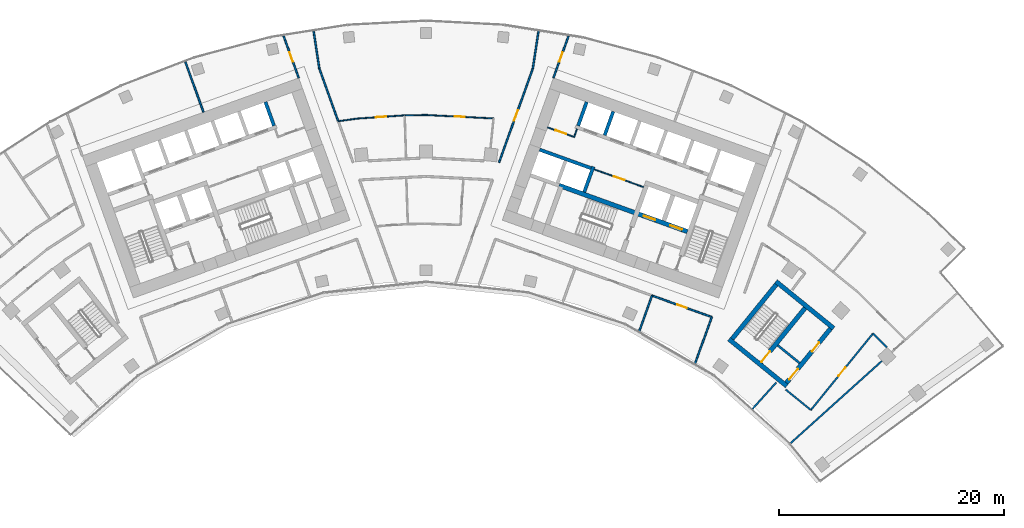
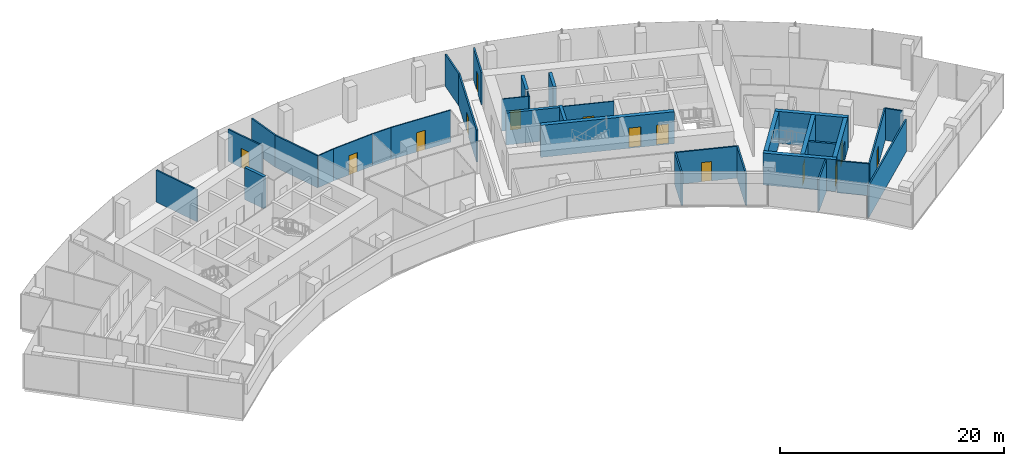
# One storey, part 15 of 19: 34 walls, 14 doors, 14 openings.
"""IFC4 building model written with IfcOpenShell, lengths in metres."""

from ifc_helpers import new_model, si_unit, direction, frame, frame_2d, origin, place, context, subcontext, project, spatial, rectangle, extrude, material, layer, layer_set, type_object, element, fill, save


model = new_model("IFC4")

# Units and contexts
model_context = context("Model", 3, precision=1e-05, world=origin(), true_north=direction((0.0, 1.0)))
body_context = subcontext(model_context, "Body", "Model", "MODEL_VIEW")
ifc_project = project(units=[si_unit("LENGTHUNIT", "METRE"), si_unit("AREAUNIT", "SQUARE_METRE"), si_unit("VOLUMEUNIT", "CUBIC_METRE"), si_unit("PLANEANGLEUNIT", "RADIAN"), si_unit("MASSUNIT", "GRAM", prefix="KILO")], contexts=[model_context])

# Site, building, storey
site_placement = place(None, origin())
site = spatial("IfcSite", under=ifc_project, at=site_placement, CompositionType="ELEMENT")
building_placement = place(site_placement, origin())
building = spatial("IfcBuilding", under=site, at=building_placement, Name="Stone Belt Terrace Tower", CompositionType="ELEMENT")
storey_placement = place(building_placement, frame((0.0, 0.0, 204.800048828125)))
storey = spatial("IfcBuildingStorey", under=building, at=storey_placement, Name="L49", CompositionType="ELEMENT", Elevation=204.800048828125)

# Wall, opening, door
ifc_material_1 = material(Name="Plasterboard partition")
ifc_layer_1 = layer(ifc_material_1, 0.10009765625)
ifc_layer_set_1 = layer_set([ifc_layer_1], Name="Core partition 100")
wall_type_1 = type_object("IfcWallType", Name="Core partition 100", PredefinedType="PARTITIONING", material=ifc_layer_set_1)
wall_1_placement = place(storey_placement, frame((19.29052734375, 51.829833984375, 0.0), z_axis=(0.0, 0.0, 1.0), x_axis=(-0.940930240745, 0.338600475563, 0.0)))
wall_1 = element("IfcWall", 1, at=wall_1_placement, inside=storey, type_object=wall_type_1, Name="Core B wall", PredefinedType="PARTITIONING", context=body_context, shape_type="SweptSolid", body=[
    extrude(rectangle(XDim=4.64990234375, YDim=0.10009765625, at=frame_2d((2.324951171875, 0.0))), origin(), (0.0, 0.0, 1.0), 3.47998046875),
])
opening_1_placement = place(wall_1_placement, frame((1.800048828125, 0.0, 0.0)))
opening_1 = element("IfcOpeningElement", 2, at=opening_1_placement, cuts=wall_1, Name="Opening L49-C13", PredefinedType="OPENING", context=body_context, shape_type="SweptSolid", body=[
    extrude(rectangle(XDim=1.0, YDim=2.10009765625, at=frame_2d((0.5, 1.050048828125))), frame((0.0, 0.06005859375, 0.0), z_axis=(0.0, -1.0, 0.0), x_axis=(1.0, 0.0, 0.0)), (0.0, 0.0, 1.0), 0.1201171875),
])
ifc_material_2 = material(Name="Timber door leaf", Category="wood")
door_type_1 = type_object("IfcDoorType", Name="Core room door 1000", OperationType="SINGLE_SWING_LEFT", PredefinedType="DOOR", material=ifc_material_2)
door_1_placement = place(opening_1_placement, origin())
door_1 = element("IfcDoor", 3, at=door_1_placement, inside=storey, type_object=door_type_1, Name="Door to Telecommunications room core B", OperationType="SINGLE_SWING_LEFT", OverallHeight=2.10009765625, OverallWidth=1.0, PredefinedType="DOOR", context=body_context, shape_type="SweptSolid", body=[
    extrude(rectangle(XDim=1.0, YDim=2.10009765625, at=frame_2d((0.5, 1.050048828125))), frame((0.0, 0.02490234375, 0.0), z_axis=(0.0, -1.0, 0.0), x_axis=(1.0, 0.0, 0.0)), (0.0, 0.0, 1.0), 0.050048828125),
])
fill(opening_1, door_1)

# Wall
wall_2_placement = place(storey_placement, frame((13.115966796875, 56.230712890625, 0.0), z_axis=(0.0, 0.0, 1.0), x_axis=(0.338481684961, 0.940972979923, 0.0)))
element("IfcWall", 4, at=wall_2_placement, inside=storey, type_object=wall_type_1, Name="Core B wall", PredefinedType="PARTITIONING", context=body_context, shape_type="SweptSolid", body=[
    extrude(rectangle(XDim=0.7998046875, YDim=0.10009765625, at=frame_2d((0.39990234375, 0.0))), origin(), (0.0, 0.0, 1.0), 3.47998046875),
])

# Wall, opening, door
wall_3_placement = place(storey_placement, frame((13.085693359375, 56.294677734375, 0.0), z_axis=(0.0, 0.0, 1.0), x_axis=(-0.940922976849, 0.338620660383, 0.0)))
wall_3 = element("IfcWall", 5, at=wall_3_placement, inside=storey, type_object=wall_type_1, Name="Core B wall", PredefinedType="PARTITIONING", context=body_context, shape_type="SweptSolid", body=[
    extrude(rectangle(XDim=2.449951171875, YDim=0.10009765625, at=frame_2d((1.22509765625, 0.0))), origin(), (0.0, 0.0, 1.0), 3.47998046875),
])
opening_2_placement = place(wall_3_placement, frame((0.699951171875, 0.0, 0.0)))
opening_2 = element("IfcOpeningElement", 6, at=opening_2_placement, cuts=wall_3, Name="Opening L49-C12", PredefinedType="OPENING", context=body_context, shape_type="SweptSolid", body=[
    extrude(rectangle(XDim=1.0, YDim=2.10009765625, at=frame_2d((0.5, 1.050048828125))), frame((0.0, 0.06005859375, 0.0), z_axis=(0.0, -1.0, 0.0), x_axis=(1.0, 0.0, 0.0)), (0.0, 0.0, 1.0), 0.1201171875),
])
door_2_placement = place(opening_2_placement, origin())
door_2 = element("IfcDoor", 7, at=door_2_placement, inside=storey, type_object=door_type_1, Name="Door to Staff pantry core B", OperationType="SINGLE_SWING_LEFT", OverallHeight=2.10009765625, OverallWidth=1.0, PredefinedType="DOOR", context=body_context, shape_type="SweptSolid", body=[
    extrude(rectangle(XDim=1.0, YDim=2.10009765625, at=frame_2d((0.5, 1.050048828125))), frame((0.0, 0.02490234375, 0.0), z_axis=(0.0, -1.0, 0.0), x_axis=(1.0, 0.0, 0.0)), (0.0, 0.0, 1.0), 0.050048828125),
])
fill(opening_2, door_2)

# Walls
ifc_material_3 = material(Name="Concrete B80", Category="concrete")
ifc_layer_2 = layer(ifc_material_3, 0.300048828125)
ifc_layer_set_2 = layer_set([ifc_layer_2], Name="Lift shaft wall 300")
wall_type_2 = type_object("IfcWallType", Name="Lift shaft wall 300", PredefinedType="SHEAR", material=ifc_layer_set_2)
wall_4_placement = place(storey_placement, frame((-13.48828125, 57.265625, 0.0), z_axis=(0.0, 0.0, 1.0), x_axis=(-0.338631098537, 0.940919220286, 0.0)))
element("IfcWall", 8, at=wall_4_placement, inside=storey, type_object=wall_type_2, Name="Core A wall", PredefinedType="SHEAR", context=body_context, shape_type="SweptSolid", body=[
    extrude(rectangle(XDim=2.250244140625, YDim=0.300048828125, at=frame_2d((1.125, 0.0))), origin(), (0.0, 0.0, 1.0), 3.47998046875),
])
wall_5_placement = place(storey_placement, frame((14.029052734375, 51.38525390625, 0.0), z_axis=(0.0, 0.0, 1.0), x_axis=(0.338661829791, 0.940908159728, 0.0)))
element("IfcWall", 9, at=wall_5_placement, inside=storey, type_object=wall_type_2, Name="Core B wall", PredefinedType="SHEAR", context=body_context, shape_type="SweptSolid", body=[
    extrude(rectangle(XDim=2.39990234375, YDim=0.300048828125, at=frame_2d((1.199951171875, 0.0))), origin(), (0.0, 0.0, 1.0), 3.47998046875),
])
wall_6_placement = place(storey_placement, frame((14.6328125, 53.506103515625, 0.0), z_axis=(0.0, 0.0, 1.0), x_axis=(-0.940931684323, 0.338596464007, 0.0)))
element("IfcWall", 10, at=wall_6_placement, inside=storey, type_object=wall_type_2, Name="Core B wall", PredefinedType="SHEAR", context=body_context, shape_type="SweptSolid", body=[
    extrude(rectangle(XDim=4.849609375, YDim=0.300048828125, at=frame_2d((2.4248046875, 0.0))), origin(), (0.0, 0.0, 1.0), 3.47998046875),
])
wall_7_placement = place(storey_placement, frame((15.8408203125, 56.419189453125, 0.0), z_axis=(0.0, 0.0, 1.0), x_axis=(0.338569601369, 0.940941350472, 0.0)))
element("IfcWall", 11, at=wall_7_placement, inside=storey, type_object=wall_type_2, Name="Core B wall", PredefinedType="SHEAR", context=body_context, shape_type="SweptSolid", body=[
    extrude(rectangle(XDim=2.249755859375, YDim=0.300048828125, at=frame_2d((1.125, 0.0))), origin(), (0.0, 0.0, 1.0), 3.47998046875),
])
wall_8_placement = place(storey_placement, frame((13.48828125, 57.265625, 0.0), z_axis=(0.0, 0.0, 1.0), x_axis=(0.338631098537, 0.940919220286, 0.0)))
element("IfcWall", 12, at=wall_8_placement, inside=storey, type_object=wall_type_2, Name="Core B wall", PredefinedType="SHEAR", context=body_context, shape_type="SweptSolid", body=[
    extrude(rectangle(XDim=2.250244140625, YDim=0.300048828125, at=frame_2d((1.125, 0.0))), origin(), (0.0, 0.0, 1.0), 3.47998046875),
])

# Wall, opening, door
ifc_material_4 = material(Name="Gypsum board partition")
ifc_layer_3 = layer(ifc_material_4, 0.10009765625)
ifc_layer_set_3 = layer_set([ifc_layer_3], Name="PARTITION 100")
wall_type_3 = type_object("IfcWallType", Name="PARTITION 100", PredefinedType="PARTITIONING", material=ifc_layer_set_3)
wall_9_placement = place(storey_placement, frame((-1.89892578125, 58.194091796875, 0.0), z_axis=(0.0, 0.0, 1.0), x_axis=(-0.997641330362, -0.068642377249, 0.0)))
wall_9 = element("IfcWall", 13, at=wall_9_placement, inside=storey, type_object=wall_type_3, Name="L49/wall/i086", PredefinedType="PARTITIONING", context=body_context, shape_type="SweptSolid", body=[
    extrude(rectangle(XDim=4.197021484375, YDim=0.10009765625, at=frame_2d((2.0986328125, 0.0))), origin(), (0.0, 0.0, 1.0), 3.47998046875),
])
opening_3_placement = place(wall_9_placement, frame((1.6484375, 0.0, 0.0)))
opening_3 = element("IfcOpeningElement", 14, at=opening_3_placement, cuts=wall_9, Name="Opening D-D2-26", PredefinedType="OPENING", context=body_context, shape_type="SweptSolid", body=[
    extrude(rectangle(XDim=0.89990234375, YDim=2.10009765625, at=frame_2d((0.449951171875, 1.050048828125))), frame((0.0, 0.06005859375, 0.0), z_axis=(0.0, -1.0, 0.0), x_axis=(1.0, 0.0, 0.0)), (0.0, 0.0, 1.0), 0.1201171875),
])
door_type_2 = type_object("IfcDoorType", Name="OFFICE DOOR 900 X 2100", OperationType="NOTDEFINED", PredefinedType="DOOR", material=ifc_material_2)
door_3_placement = place(opening_3_placement, origin())
door_3 = element("IfcDoor", 15, at=door_3_placement, inside=storey, type_object=door_type_2, Name="L49/door/i26", OperationType="SINGLE_SWING_RIGHT", OverallHeight=2.10009765625, OverallWidth=0.89990234375, PredefinedType="DOOR", context=body_context, shape_type="SweptSolid", body=[
    extrude(rectangle(XDim=0.89990234375, YDim=2.10009765625, at=frame_2d((0.449951171875, 1.050048828125))), frame((0.0, 0.02490234375, 0.0), z_axis=(0.0, -1.0, 0.0), x_axis=(1.0, 0.0, 0.0)), (0.0, 0.0, 1.0), 0.050048828125),
])
fill(opening_3, door_3)

# Wall
wall_10_placement = place(storey_placement, frame((-6.0859375, 57.906005859375, 0.0), z_axis=(0.0, 0.0, 1.0), x_axis=(-0.990701823522, -0.136051081843, 0.0)))
element("IfcWall", 16, at=wall_10_placement, inside=storey, type_object=wall_type_3, Name="L49/wall/i087", PredefinedType="PARTITIONING", context=body_context, shape_type="SweptSolid", body=[
    extrude(rectangle(XDim=1.718994140625, YDim=0.10009765625, at=frame_2d((0.859375, 0.0))), origin(), (0.0, 0.0, 1.0), 3.47998046875),
])

# Wall, opening, door
wall_11_placement = place(storey_placement, frame((5.98388671875, 57.9169921875, 0.0), z_axis=(0.0, 0.0, 1.0), x_axis=(-0.998677061642, 0.051421071065, 0.0)))
wall_11 = element("IfcWall", 17, at=wall_11_placement, inside=storey, type_object=wall_type_3, Name="L49/wall/i089", PredefinedType="PARTITIONING", context=body_context, shape_type="SweptSolid", body=[
    extrude(rectangle(XDim=5.99169921875, YDim=0.10009765625, at=frame_2d((2.995849609375, 0.0))), origin(), (0.0, 0.0, 1.0), 3.47998046875),
])
opening_4_placement = place(wall_11_placement, frame((2.5458984375, 0.0, 0.0)))
opening_4 = element("IfcOpeningElement", 18, at=opening_4_placement, cuts=wall_11, Name="Opening D-D2-27", PredefinedType="OPENING", context=body_context, shape_type="SweptSolid", body=[
    extrude(rectangle(XDim=0.89990234375, YDim=2.10009765625, at=frame_2d((0.449951171875, 1.050048828125))), frame((0.0, 0.06005859375, 0.0), z_axis=(0.0, -1.0, 0.0), x_axis=(1.0, 0.0, 0.0)), (0.0, 0.0, 1.0), 0.1201171875),
])
door_4_placement = place(opening_4_placement, origin())
door_4 = element("IfcDoor", 19, at=door_4_placement, inside=storey, type_object=door_type_2, Name="L49/door/i27", OperationType="SINGLE_SWING_RIGHT", OverallHeight=2.10009765625, OverallWidth=0.89990234375, PredefinedType="DOOR", context=body_context, shape_type="SweptSolid", body=[
    extrude(rectangle(XDim=0.89990234375, YDim=2.10009765625, at=frame_2d((0.449951171875, 1.050048828125))), frame((0.0, 0.02490234375, 0.0), z_axis=(0.0, -1.0, 0.0), x_axis=(1.0, 0.0, 0.0)), (0.0, 0.0, 1.0), 0.050048828125),
])
fill(opening_4, door_4)

# Wall
wall_12_placement = place(storey_placement, frame((0.0, 58.22509765625, 0.0), z_axis=(0.0, 0.0, 1.0), x_axis=(-0.999866723144, -0.016325928753, 0.0)))
element("IfcWall", 20, at=wall_12_placement, inside=storey, type_object=wall_type_3, Name="L49/wall/i090", PredefinedType="PARTITIONING", context=body_context, shape_type="SweptSolid", body=[
    extrude(rectangle(XDim=1.899169921875, YDim=0.10009765625, at=frame_2d((0.94970703125, 0.0))), origin(), (0.0, 0.0, 1.0), 3.47998046875),
])

# Wall, opening, door
ifc_layer_4 = layer(ifc_material_4, 0.14990234375)
ifc_layer_set_4 = layer_set([ifc_layer_4], Name="PARTITION 150 EI 60")
wall_type_4 = type_object("IfcWallType", Name="PARTITION 150 EI 60", PredefinedType="PARTITIONING", material=ifc_layer_set_4)
wall_13_placement = place(storey_placement, frame((-11.2958984375, 61.509033203125, 0.0), z_axis=(0.0, 0.0, 1.0), x_axis=(-0.338610223579, 0.940926732795, 0.0)))
wall_13 = element("IfcWall", 21, at=wall_13_placement, inside=storey, type_object=wall_type_4, Name="L49/wall/i009", PredefinedType="PARTITIONING", context=body_context, shape_type="SweptSolid", body=[
    extrude(rectangle(XDim=3.956787109375, YDim=0.14990234375, at=frame_2d((1.978515625, 0.0))), origin(), (0.0, 0.0, 1.0), 3.47998046875),
])
opening_5_placement = place(wall_13_placement, frame((1.5283203125, 0.0, 0.0)))
opening_5 = element("IfcOpeningElement", 22, at=opening_5_placement, cuts=wall_13, Name="Opening D-D2-05", PredefinedType="OPENING", context=body_context, shape_type="SweptSolid", body=[
    extrude(rectangle(XDim=0.89990234375, YDim=2.10009765625, at=frame_2d((0.449951171875, 1.050048828125))), frame((0.0, 0.0849609375, 0.0), z_axis=(0.0, -1.0, 0.0), x_axis=(1.0, 0.0, 0.0)), (0.0, 0.0, 1.0), 0.169921875),
])
door_5_placement = place(opening_5_placement, origin())
door_5 = element("IfcDoor", 23, at=door_5_placement, inside=storey, type_object=door_type_2, Name="L49/door/i05", OperationType="SINGLE_SWING_RIGHT", OverallHeight=2.10009765625, OverallWidth=0.89990234375, PredefinedType="DOOR", context=body_context, shape_type="SweptSolid", body=[
    extrude(rectangle(XDim=0.89990234375, YDim=2.10009765625, at=frame_2d((0.449951171875, 1.050048828125))), frame((0.0, 0.02490234375, 0.0), z_axis=(0.0, -1.0, 0.0), x_axis=(1.0, 0.0, 0.0)), (0.0, 0.0, 1.0), 0.050048828125),
])
fill(opening_5, door_5)

# Walls
wall_14_placement = place(storey_placement, frame((-9.971923828125, 65.65576171875, 0.0), z_axis=(0.0, 0.0, 1.0), x_axis=(0.150154488208, -0.988662545903, 0.0)))
element("IfcWall", 24, at=wall_14_placement, inside=storey, type_object=wall_type_4, Name="L49/wall/i012", PredefinedType="PARTITIONING", context=body_context, shape_type="SweptSolid", body=[
    extrude(rectangle(XDim=3.35595703125, YDim=0.14990234375, at=frame_2d((1.677978515625, 0.0))), origin(), (0.0, 0.0, 1.0), 3.47998046875),
])
wall_15_placement = place(storey_placement, frame((-9.468017578125, 62.3369140625, 0.0), z_axis=(0.0, 0.0, 1.0), x_axis=(0.338609749615, -0.94092690336, 0.0)))
element("IfcWall", 25, at=wall_15_placement, inside=storey, type_object=wall_type_4, Name="L49/wall/i013", PredefinedType="PARTITIONING", context=body_context, shape_type="SweptSolid", body=[
    extrude(rectangle(XDim=4.964111328125, YDim=0.14990234375, at=frame_2d((2.48193359375, 0.0))), origin(), (0.0, 0.0, 1.0), 3.47998046875),
])
wall_16_placement = place(storey_placement, frame((-21.347900390625, 62.939208984375, 0.0), z_axis=(0.0, 0.0, 1.0), x_axis=(0.338530164173, -0.940955539834, 0.0)))
element("IfcWall", 26, at=wall_16_placement, inside=storey, type_object=wall_type_4, Name="L49/wall/i021", PredefinedType="PARTITIONING", context=body_context, shape_type="SweptSolid", body=[
    extrude(rectangle(XDim=4.749755859375, YDim=0.14990234375, at=frame_2d((2.375, 0.0))), origin(), (0.0, 0.0, 1.0), 3.47998046875),
])

# Wall, opening, door
wall_17_placement = place(storey_placement, frame((12.6357421875, 65.232177734375, 0.0), z_axis=(0.0, 0.0, 1.0), x_axis=(-0.338610223579, -0.940926732795, 0.0)))
wall_17 = element("IfcWall", 27, at=wall_17_placement, inside=storey, type_object=wall_type_4, Name="L49/wall/i023", PredefinedType="PARTITIONING", context=body_context, shape_type="SweptSolid", body=[
    extrude(rectangle(XDim=3.956787109375, YDim=0.14990234375, at=frame_2d((1.978515625, 0.0))), origin(), (0.0, 0.0, 1.0), 3.47998046875),
])
opening_6_placement = place(wall_17_placement, frame((1.5283203125, 0.0, 0.0)))
opening_6 = element("IfcOpeningElement", 28, at=opening_6_placement, cuts=wall_17, Name="Opening D-D2-09", PredefinedType="OPENING", context=body_context, shape_type="SweptSolid", body=[
    extrude(rectangle(XDim=0.89990234375, YDim=2.10009765625, at=frame_2d((0.449951171875, 1.050048828125))), frame((0.0, 0.0849609375, 0.0), z_axis=(0.0, -1.0, 0.0), x_axis=(1.0, 0.0, 0.0)), (0.0, 0.0, 1.0), 0.169921875),
])
door_6_placement = place(opening_6_placement, origin())
door_6 = element("IfcDoor", 29, at=door_6_placement, inside=storey, type_object=door_type_2, Name="L49/door/i09", OperationType="SINGLE_SWING_RIGHT", OverallHeight=2.10009765625, OverallWidth=0.89990234375, PredefinedType="DOOR", context=body_context, shape_type="SweptSolid", body=[
    extrude(rectangle(XDim=0.89990234375, YDim=2.10009765625, at=frame_2d((0.449951171875, 1.050048828125))), frame((0.0, 0.02490234375, 0.0), z_axis=(0.0, -1.0, 0.0), x_axis=(1.0, 0.0, 0.0)), (0.0, 0.0, 1.0), 0.050048828125),
])
fill(opening_6, door_6)

wall_18_placement = place(storey_placement, frame((6.47509765625, 54.02001953125, 0.0), z_axis=(0.0, 0.0, 1.0), x_axis=(0.338603075024, 0.940929305307, 0.0)))
wall_18 = element("IfcWall", 30, at=wall_18_placement, inside=storey, type_object=wall_type_4, Name="L49/wall/i025", PredefinedType="PARTITIONING", context=body_context, shape_type="SweptSolid", body=[
    extrude(rectangle(XDim=8.839111328125, YDim=0.14990234375, at=frame_2d((4.41943359375, 0.0))), origin(), (0.0, 0.0, 1.0), 3.47998046875),
])
opening_7_placement = place(wall_18_placement, frame((3.919677734375, 0.0, 0.0)))
opening_7 = element("IfcOpeningElement", 31, at=opening_7_placement, cuts=wall_18, Name="Opening D-D2-25", PredefinedType="OPENING", context=body_context, shape_type="SweptSolid", body=[
    extrude(rectangle(XDim=1.0, YDim=2.10009765625, at=frame_2d((0.5, 1.050048828125))), frame((0.0, 0.0849609375, 0.0), z_axis=(0.0, -1.0, 0.0), x_axis=(1.0, 0.0, 0.0)), (0.0, 0.0, 1.0), 0.169921875),
])
ifc_material_5 = material(Name="Timber fire door leaf", Category="wood")
door_type_3 = type_object("IfcDoorType", Name="TENANCY ENTRANCE DOOR 1000 X 2100", OperationType="NOTDEFINED", PredefinedType="DOOR", material=ifc_material_5)
door_7_placement = place(opening_7_placement, origin())
door_7 = element("IfcDoor", 32, at=door_7_placement, inside=storey, type_object=door_type_3, Name="L49/door/i25", OperationType="SINGLE_SWING_RIGHT", OverallHeight=2.10009765625, OverallWidth=1.0, PredefinedType="DOOR", context=body_context, shape_type="SweptSolid", body=[
    extrude(rectangle(XDim=1.0, YDim=2.10009765625, at=frame_2d((0.5, 1.050048828125))), frame((0.0, 0.02490234375, 0.0), z_axis=(0.0, -1.0, 0.0), x_axis=(1.0, 0.0, 0.0)), (0.0, 0.0, 1.0), 0.050048828125),
])
fill(opening_7, door_7)

# Walls
wall_19_placement = place(storey_placement, frame((9.468017578125, 62.337890625, 0.0), z_axis=(0.0, 0.0, 1.0), x_axis=(0.150154488208, 0.988662545903, 0.0)))
element("IfcWall", 33, at=wall_19_placement, inside=storey, type_object=wall_type_4, Name="L49/wall/i026", PredefinedType="PARTITIONING", context=body_context, shape_type="SweptSolid", body=[
    extrude(rectangle(XDim=3.35595703125, YDim=0.14990234375, at=frame_2d((1.677978515625, 0.0))), origin(), (0.0, 0.0, 1.0), 3.47998046875),
])
wall_20_placement = place(storey_placement, frame((23.860107421875, 36.1787109375, 0.0), z_axis=(0.0, 0.0, 1.0), x_axis=(0.338603151709, 0.94092927771, 0.0)))
element("IfcWall", 34, at=wall_20_placement, inside=storey, type_object=wall_type_4, Name="L49/wall/i027", PredefinedType="PARTITIONING", context=body_context, shape_type="SweptSolid", body=[
    extrude(rectangle(XDim=4.38525390625, YDim=0.14990234375, at=frame_2d((2.192626953125, 0.0))), origin(), (0.0, 0.0, 1.0), 3.47998046875),
])
wall_21_placement = place(storey_placement, frame((31.054931640625, 34.489990234375, 0.0), z_axis=(0.0, 0.0, 1.0), x_axis=(-0.669118910745, -0.743155356089, 0.0)))
element("IfcWall", 35, at=wall_21_placement, inside=storey, type_object=wall_type_4, Name="L49/wall/i030", PredefinedType="PARTITIONING", context=body_context, shape_type="SweptSolid", body=[
    extrude(rectangle(XDim=3.149169921875, YDim=0.14990234375, at=frame_2d((1.57470703125, 0.0))), origin(), (0.0, 0.0, 1.0), 3.47998046875),
])

# Wall, opening, door
wall_22_placement = place(storey_placement, frame((25.343017578125, 40.299072265625, 0.0), z_axis=(0.0, 0.0, 1.0), x_axis=(-0.94095472918, 0.338532417405, 0.0)))
wall_22 = element("IfcWall", 36, at=wall_22_placement, inside=storey, type_object=wall_type_4, Name="L49/wall/i035", PredefinedType="PARTITIONING", context=body_context, shape_type="SweptSolid", body=[
    extrude(rectangle(XDim=5.638916015625, YDim=0.14990234375, at=frame_2d((2.8193359375, 0.0))), origin(), (0.0, 0.0, 1.0), 3.47998046875),
])
opening_8_placement = place(wall_22_placement, frame((2.369384765625, 0.0, 0.0)))
opening_8 = element("IfcOpeningElement", 37, at=opening_8_placement, cuts=wall_22, Name="Opening D-D2-08", PredefinedType="OPENING", context=body_context, shape_type="SweptSolid", body=[
    extrude(rectangle(XDim=0.89990234375, YDim=2.10009765625, at=frame_2d((0.449951171875, 1.050048828125))), frame((0.0, 0.0849609375, 0.0), z_axis=(0.0, -1.0, 0.0), x_axis=(1.0, 0.0, 0.0)), (0.0, 0.0, 1.0), 0.169921875),
])
door_8_placement = place(opening_8_placement, origin())
door_8 = element("IfcDoor", 38, at=door_8_placement, inside=storey, type_object=door_type_2, Name="L49/door/i08", OperationType="SINGLE_SWING_RIGHT", OverallHeight=2.10009765625, OverallWidth=0.89990234375, PredefinedType="DOOR", context=body_context, shape_type="SweptSolid", body=[
    extrude(rectangle(XDim=0.89990234375, YDim=2.10009765625, at=frame_2d((0.449951171875, 1.050048828125))), frame((0.0, 0.02490234375, 0.0), z_axis=(0.0, -1.0, 0.0), x_axis=(1.0, 0.0, 0.0)), (0.0, 0.0, 1.0), 0.050048828125),
])
fill(opening_8, door_8)

# Walls
wall_23_placement = place(storey_placement, frame((20.04296875, 42.2060546875, 0.0), z_axis=(0.0, 0.0, 1.0), x_axis=(-0.338583278886, -0.940936428915, 0.0)))
element("IfcWall", 39, at=wall_23_placement, inside=storey, type_object=wall_type_4, Name="L49/wall/i037", PredefinedType="PARTITIONING", context=body_context, shape_type="SweptSolid", body=[
    extrude(rectangle(XDim=3.364501953125, YDim=0.14990234375, at=frame_2d((1.68212890625, 0.0))), origin(), (0.0, 0.0, 1.0), 3.47998046875),
])
wall_24_placement = place(storey_placement, frame((32.32666015625, 29.107177734375, 0.0), z_axis=(0.0, 0.0, 1.0), x_axis=(0.743123646352, 0.669154127412, 0.0)))
element("IfcWall", 40, at=wall_24_placement, inside=storey, type_object=wall_type_4, Name="L49/wall/i057", PredefinedType="PARTITIONING", context=body_context, shape_type="SweptSolid", body=[
    extrude(rectangle(XDim=10.89501953125, YDim=0.14990234375, at=frame_2d((5.447509765625, 0.0))), origin(), (0.0, 0.0, 1.0), 3.47998046875),
])
wall_25_placement = place(storey_placement, frame((40.871826171875, 37.615234375, 0.0), z_axis=(0.0, 0.0, 1.0), x_axis=(-0.707176795224, 0.707036760216, 0.0)))
element("IfcWall", 41, at=wall_25_placement, inside=storey, type_object=wall_type_4, Name="L49/wall/i062", PredefinedType="PARTITIONING", context=body_context, shape_type="SweptSolid", body=[
    extrude(rectangle(XDim=1.743408203125, YDim=0.14990234375, at=frame_2d((0.87158203125, 0.0))), origin(), (0.0, 0.0, 1.0), 3.47998046875),
])

# Wall, opening, door
wall_26_placement = place(storey_placement, frame((39.64306640625, 38.843994140625, 0.0), z_axis=(0.0, 0.0, 1.0), x_axis=(-0.630226712005, -0.776411161354, 0.0)))
wall_26 = element("IfcWall", 42, at=wall_26_placement, inside=storey, type_object=wall_type_4, Name="L49/wall/i067", PredefinedType="PARTITIONING", context=body_context, shape_type="SweptSolid", body=[
    extrude(rectangle(XDim=8.742919921875, YDim=0.14990234375, at=frame_2d((4.37158203125, 0.0))), origin(), (0.0, 0.0, 1.0), 3.47998046875),
])
opening_9_placement = place(wall_26_placement, frame((3.871337890625, 0.0, 0.0)))
opening_9 = element("IfcOpeningElement", 43, at=opening_9_placement, cuts=wall_26, Name="Opening D-D2-19", PredefinedType="OPENING", context=body_context, shape_type="SweptSolid", body=[
    extrude(rectangle(XDim=1.0, YDim=2.10009765625, at=frame_2d((0.5, 1.050048828125))), frame((0.0, 0.0849609375, 0.0), z_axis=(0.0, -1.0, 0.0), x_axis=(1.0, 0.0, 0.0)), (0.0, 0.0, 1.0), 0.169921875),
])
door_9_placement = place(opening_9_placement, origin())
door_9 = element("IfcDoor", 44, at=door_9_placement, inside=storey, type_object=door_type_3, Name="L49/door/i19", OperationType="SINGLE_SWING_RIGHT", OverallHeight=2.10009765625, OverallWidth=1.0, PredefinedType="DOOR", context=body_context, shape_type="SweptSolid", body=[
    extrude(rectangle(XDim=1.0, YDim=2.10009765625, at=frame_2d((0.5, 1.050048828125))), frame((0.0, 0.02490234375, 0.0), z_axis=(0.0, -1.0, 0.0), x_axis=(1.0, 0.0, 0.0)), (0.0, 0.0, 1.0), 0.050048828125),
])
fill(opening_9, door_9)

# Walls
wall_27_placement = place(storey_placement, frame((34.133056640625, 32.055908203125, 0.0), z_axis=(0.0, 0.0, 1.0), x_axis=(-0.776369956068, 0.630277471686, 0.0)))
element("IfcWall", 45, at=wall_27_placement, inside=storey, type_object=wall_type_4, Name="L49/wall/i068", PredefinedType="PARTITIONING", context=body_context, shape_type="SweptSolid", body=[
    extrude(rectangle(XDim=2.8876953125, YDim=0.14990234375, at=frame_2d((1.44384765625, 0.0))), origin(), (0.0, 0.0, 1.0), 3.47998046875),
])
ifc_material_6 = material(Name="Concrete masonry block", Category="masonry")
ifc_layer_5 = layer(ifc_material_6, 0.199951171875)
ifc_layer_set_5 = layer_set([ifc_layer_5], Name="Rated lobby wall 200")
wall_type_5 = type_object("IfcWallType", Name="Rated lobby wall 200", PredefinedType="PARTITIONING", material=ifc_layer_set_5)
wall_28_placement = place(storey_placement, frame((31.190673828125, 37.79296875, 0.0), z_axis=(0.0, 0.0, 1.0), x_axis=(0.776370830301, -0.630276394813, 0.0)))
element("IfcWall", 46, at=wall_28_placement, inside=storey, type_object=wall_type_5, Name="Exit stair ST3B wall", PredefinedType="PARTITIONING", context=body_context, shape_type="SweptSolid", body=[
    extrude(rectangle(XDim=2.5, YDim=0.199951171875, at=frame_2d((1.25, 0.0))), origin(), (0.0, 0.0, 1.0), 3.47998046875),
])

# Wall, openings, doors
ifc_layer_6 = layer(ifc_material_3, 0.39990234375)
ifc_layer_set_6 = layer_set([ifc_layer_6], Name="Stair enclosure wall 400")
wall_type_6 = type_object("IfcWallType", Name="Stair enclosure wall 400", PredefinedType="SHEAR", material=ifc_layer_set_6)
wall_29_placement = place(storey_placement, frame((23.182373046875, 47.87841796875, 0.0), z_axis=(0.0, 0.0, 1.0), x_axis=(-0.940921101762, 0.338625870628, 0.0)))
wall_29 = element("IfcWall", 47, at=wall_29_placement, inside=storey, type_object=wall_type_6, Name="Core B wall", PredefinedType="SHEAR", context=body_context, shape_type="SweptSolid", body=[
    extrude(rectangle(XDim=12.10009765625, YDim=0.39990234375, at=frame_2d((6.050048828125, 0.0))), origin(), (0.0, 0.0, 1.0), 3.47998046875),
])
opening_10_placement = place(wall_29_placement, frame((0.52001953125, 0.0, 0.0)))
opening_10 = element("IfcOpeningElement", 48, at=opening_10_placement, cuts=wall_29, Name="Opening L49-LD14", PredefinedType="OPENING", context=body_context, shape_type="SweptSolid", body=[
    extrude(rectangle(XDim=1.10009765625, YDim=2.199951171875, at=frame_2d((0.550048828125, 1.10009765625))), frame((0.0, 0.2099609375, 0.0), z_axis=(0.0, -1.0, 0.0), x_axis=(1.0, 0.0, 0.0)), (0.0, 0.0, 1.0), 0.419921875),
])
opening_11_placement = place(wall_29_placement, frame((3.02001953125, 0.0, 0.0)))
opening_11 = element("IfcOpeningElement", 49, at=opening_11_placement, cuts=wall_29, Name="Opening L49-LD15", PredefinedType="OPENING", context=body_context, shape_type="SweptSolid", body=[
    extrude(rectangle(XDim=1.10009765625, YDim=2.199951171875, at=frame_2d((0.550048828125, 1.10009765625))), frame((0.0, 0.2099609375, 0.0), z_axis=(0.0, -1.0, 0.0), x_axis=(1.0, 0.0, 0.0)), (0.0, 0.0, 1.0), 0.419921875),
])
ifc_material_7 = material(Name="Stainless steel door leaf", Category="steel")
door_type_4 = type_object("IfcDoorType", Name="Landing door 1100", OperationType="SLIDING_TO_LEFT", PredefinedType="DOOR", material=ifc_material_7)
door_10_placement = place(opening_10_placement, origin())
door_10 = element("IfcDoor", 50, at=door_10_placement, inside=storey, type_object=door_type_4, Name="Landing door FF1 core B", OperationType="SLIDING_TO_LEFT", OverallHeight=2.199951171875, OverallWidth=1.10009765625, PredefinedType="DOOR", context=body_context, shape_type="SweptSolid", body=[
    extrude(rectangle(XDim=1.10009765625, YDim=2.199951171875, at=frame_2d((0.550048828125, 1.10009765625))), frame((0.0, 0.02490234375, 0.0), z_axis=(0.0, -1.0, 0.0), x_axis=(1.0, 0.0, 0.0)), (0.0, 0.0, 1.0), 0.050048828125),
])
fill(opening_10, door_10)
door_11_placement = place(opening_11_placement, origin())
door_11 = element("IfcDoor", 51, at=door_11_placement, inside=storey, type_object=door_type_4, Name="Landing door FF2 core B", OperationType="SLIDING_TO_LEFT", OverallHeight=2.199951171875, OverallWidth=1.10009765625, PredefinedType="DOOR", context=body_context, shape_type="SweptSolid", body=[
    extrude(rectangle(XDim=1.10009765625, YDim=2.199951171875, at=frame_2d((0.550048828125, 1.10009765625))), frame((0.0, 0.02490234375, 0.0), z_axis=(0.0, -1.0, 0.0), x_axis=(1.0, 0.0, 0.0)), (0.0, 0.0, 1.0), 0.050048828125),
])
fill(opening_11, door_11)

# Walls
wall_30_placement = place(storey_placement, frame((26.868408203125, 38.3388671875, 0.0), z_axis=(0.0, 0.0, 1.0), x_axis=(0.776428452498, -0.630205409491, 0.0)))
element("IfcWall", 52, at=wall_30_placement, inside=storey, type_object=wall_type_6, Name="Exit stair ST3B wall", PredefinedType="SHEAR", context=body_context, shape_type="SweptSolid", body=[
    extrude(rectangle(XDim=6.60009765625, YDim=0.39990234375, at=frame_2d((3.300048828125, 0.0))), origin(), (0.0, 0.0, 1.0), 3.47998046875),
])
wall_31_placement = place(storey_placement, frame((31.02783203125, 43.46337890625, 0.0), z_axis=(0.0, 0.0, 1.0), x_axis=(0.776413760801, -0.630223509589, 0.0)))
element("IfcWall", 53, at=wall_31_placement, inside=storey, type_object=wall_type_6, Name="Exit stair ST3B wall", PredefinedType="SHEAR", context=body_context, shape_type="SweptSolid", body=[
    extrude(rectangle(XDim=6.599853515625, YDim=0.39990234375, at=frame_2d((3.2998046875, 0.0))), origin(), (0.0, 0.0, 1.0), 3.47998046875),
])
wall_32_placement = place(storey_placement, frame((27.149658203125, 38.3681640625, 0.0), z_axis=(0.0, 0.0, 1.0), x_axis=(0.630211551729, 0.776423466973, 0.0)))
element("IfcWall", 54, at=wall_32_placement, inside=storey, type_object=wall_type_6, Name="Exit stair ST3B wall", PredefinedType="SHEAR", context=body_context, shape_type="SweptSolid", body=[
    extrude(rectangle(XDim=6.199951171875, YDim=0.39990234375, at=frame_2d((3.10009765625, 0.0))), origin(), (0.0, 0.0, 1.0), 3.47998046875),
])

# Wall, openings, doors
wall_33_placement = place(storey_placement, frame((31.963623046875, 34.460693359375, 0.0), z_axis=(0.0, 0.0, 1.0), x_axis=(0.630192283849, 0.776439106033, 0.0)))
wall_33 = element("IfcWall", 55, at=wall_33_placement, inside=storey, type_object=wall_type_6, Name="Exit stair ST3B wall", PredefinedType="SHEAR", context=body_context, shape_type="SweptSolid", body=[
    extrude(rectangle(XDim=6.199951171875, YDim=0.39990234375, at=frame_2d((3.10009765625, 0.0))), origin(), (0.0, 0.0, 1.0), 3.47998046875),
])
opening_12_placement = place(wall_33_placement, frame((0.39990234375, 0.0, 0.0)))
opening_12 = element("IfcOpeningElement", 56, at=opening_12_placement, cuts=wall_33, Name="Opening L49-C27", PredefinedType="OPENING", context=body_context, shape_type="SweptSolid", body=[
    extrude(rectangle(XDim=1.199951171875, YDim=2.10009765625, at=frame_2d((0.60009765625, 1.050048828125))), frame((0.0, 0.2099609375, 0.0), z_axis=(0.0, -1.0, 0.0), x_axis=(1.0, 0.0, 0.0)), (0.0, 0.0, 1.0), 0.419921875),
])
opening_13_placement = place(wall_33_placement, frame((3.60009765625, 0.0, 0.0)))
opening_13 = element("IfcOpeningElement", 57, at=opening_13_placement, cuts=wall_33, Name="Opening L49-C28", PredefinedType="OPENING", context=body_context, shape_type="SweptSolid", body=[
    extrude(rectangle(XDim=1.0, YDim=2.10009765625, at=frame_2d((0.5, 1.050048828125))), frame((0.0, 0.2099609375, 0.0), z_axis=(0.0, -1.0, 0.0), x_axis=(1.0, 0.0, 0.0)), (0.0, 0.0, 1.0), 0.419921875),
])
door_12_placement = place(opening_13_placement, origin())
door_12 = element("IfcDoor", 58, at=door_12_placement, inside=storey, type_object=door_type_1, Name="Door to stair pressurisation plant room ST3B", OperationType="SINGLE_SWING_RIGHT", OverallHeight=2.10009765625, OverallWidth=1.0, PredefinedType="DOOR", context=body_context, shape_type="SweptSolid", body=[
    extrude(rectangle(XDim=1.0, YDim=2.10009765625, at=frame_2d((0.5, 1.050048828125))), frame((0.0, 0.02490234375, 0.0), z_axis=(0.0, -1.0, 0.0), x_axis=(1.0, 0.0, 0.0)), (0.0, 0.0, 1.0), 0.050048828125),
])
fill(opening_13, door_12)
ifc_material_8 = material(Name="Steel door leaf", Category="steel")
door_type_5 = type_object("IfcDoorType", Name="Stair airlock door 1200", OperationType="SINGLE_SWING_LEFT", PredefinedType="DOOR", material=ifc_material_8)
door_13_placement = place(opening_12_placement, origin())
door_13 = element("IfcDoor", 59, at=door_13_placement, inside=storey, type_object=door_type_5, Name="Stair airlock door ST3B", OperationType="SINGLE_SWING_RIGHT", OverallHeight=2.10009765625, OverallWidth=1.199951171875, PredefinedType="DOOR", context=body_context, shape_type="SweptSolid", body=[
    extrude(rectangle(XDim=1.199951171875, YDim=2.10009765625, at=frame_2d((0.60009765625, 1.050048828125))), frame((0.0, 0.02490234375, 0.0), z_axis=(0.0, -1.0, 0.0), x_axis=(1.0, 0.0, 0.0)), (0.0, 0.0, 1.0), 0.050048828125),
])
fill(opening_12, door_13)

# Wall, opening, door
wall_34_placement = place(storey_placement, frame((29.7119140625, 36.288330078125, 0.0), z_axis=(0.0, 0.0, 1.0), x_axis=(0.630192283849, 0.776439106033, 0.0)))
wall_34 = element("IfcWall", 60, at=wall_34_placement, inside=storey, type_object=wall_type_6, Name="Exit stair ST3B wall", PredefinedType="SHEAR", context=body_context, shape_type="SweptSolid", body=[
    extrude(rectangle(XDim=6.199951171875, YDim=0.39990234375, at=frame_2d((3.10009765625, 0.0))), origin(), (0.0, 0.0, 1.0), 3.47998046875),
])
opening_14_placement = place(wall_34_placement, frame((0.050048828125, 0.0, 0.0)))
opening_14 = element("IfcOpeningElement", 61, at=opening_14_placement, cuts=wall_34, Name="Opening L49-C26", PredefinedType="OPENING", context=body_context, shape_type="SweptSolid", body=[
    extrude(rectangle(XDim=1.199951171875, YDim=2.10009765625, at=frame_2d((0.60009765625, 1.050048828125))), frame((0.0, 0.2099609375, 0.0), z_axis=(0.0, -1.0, 0.0), x_axis=(1.0, 0.0, 0.0)), (0.0, 0.0, 1.0), 0.419921875),
])
door_type_6 = type_object("IfcDoorType", Name="Stair door 1200", OperationType="SINGLE_SWING_LEFT", PredefinedType="DOOR", material=ifc_material_8)
door_14_placement = place(opening_14_placement, origin())
door_14 = element("IfcDoor", 62, at=door_14_placement, inside=storey, type_object=door_type_6, Name="Stair door ST3B", OperationType="SINGLE_SWING_LEFT", OverallHeight=2.10009765625, OverallWidth=1.199951171875, PredefinedType="DOOR", context=body_context, shape_type="SweptSolid", body=[
    extrude(rectangle(XDim=1.199951171875, YDim=2.10009765625, at=frame_2d((0.60009765625, 1.050048828125))), frame((0.0, 0.02490234375, 0.0), z_axis=(0.0, -1.0, 0.0), x_axis=(1.0, 0.0, 0.0)), (0.0, 0.0, 1.0), 0.050048828125),
])
fill(opening_14, door_14)

save(model, "model.ifc")
